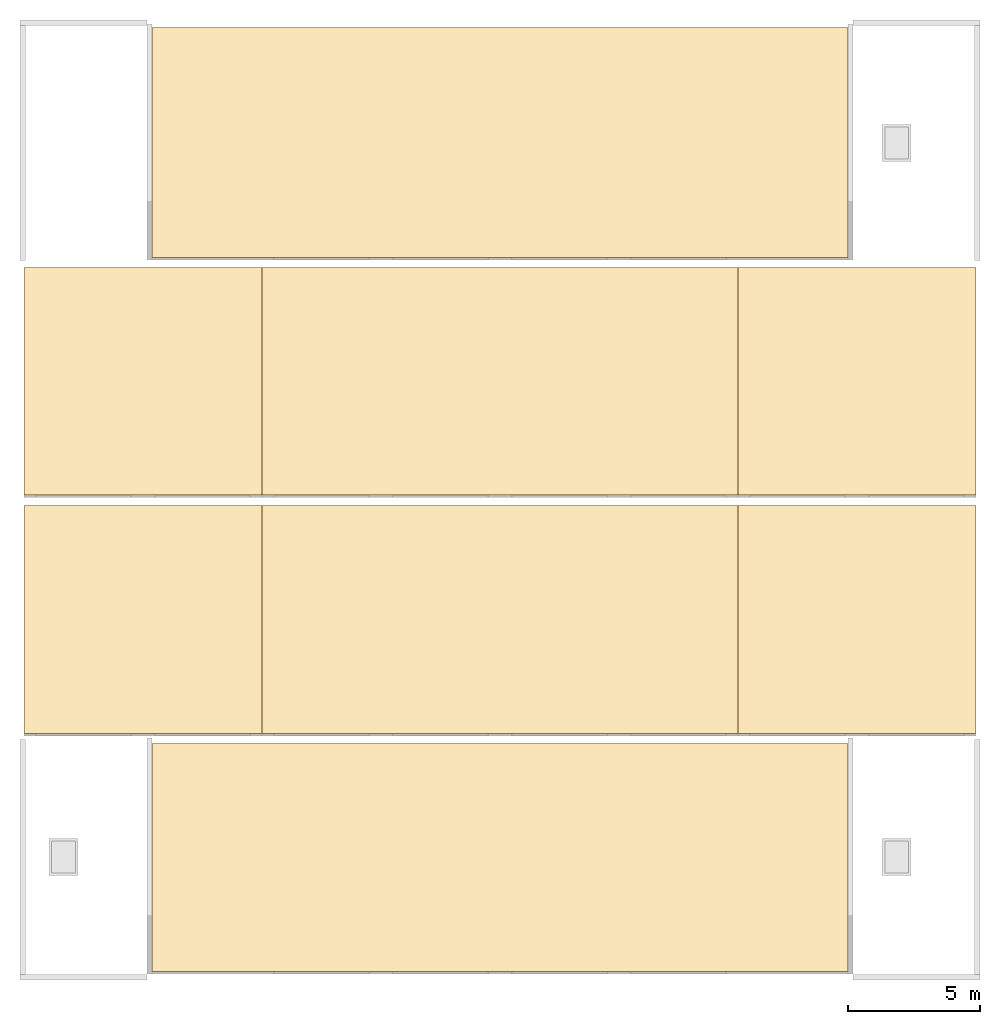
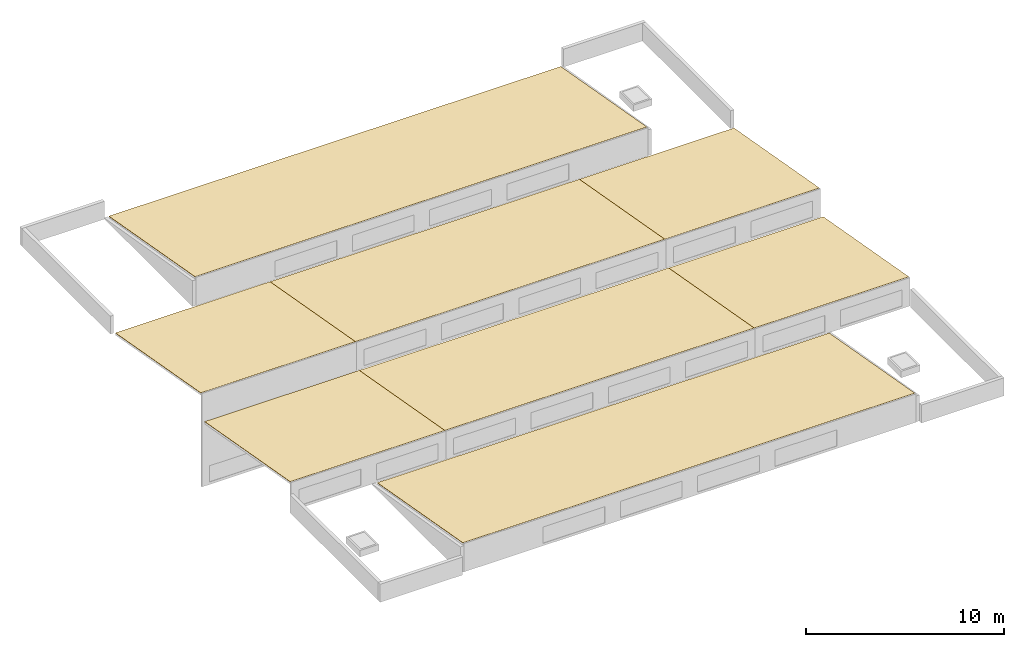
# One storey, part 3 of 3: 8 coverings.
"""IFC4 building model written with IfcOpenShell, lengths in metres."""

from ifc_helpers import new_model, si_unit, direction, frame, origin, place, context, subcontext, project, spatial, polyline, outline, extrude, material, layer, layer_set, type_object, element, save


model = new_model("IFC4")

# Units and contexts
model_context = context("Model", 3, precision=1e-05, world=origin(), true_north=direction((0.0, 1.0)))
body_context = subcontext(model_context, "Body", "Model", "MODEL_VIEW")
ifc_project = project(units=[si_unit("LENGTHUNIT", "METRE"), si_unit("AREAUNIT", "SQUARE_METRE"), si_unit("VOLUMEUNIT", "CUBIC_METRE"), si_unit("PLANEANGLEUNIT", "RADIAN"), si_unit("MASSUNIT", "GRAM", prefix="KILO")], contexts=[model_context])

# Site, building, storey
site_placement = place(None, origin())
site = spatial("IfcSite", under=ifc_project, at=site_placement, CompositionType="ELEMENT")
building_placement = place(site_placement, origin())
building = spatial("IfcBuilding", under=site, at=building_placement, Name="Halyard Row Museum", CompositionType="ELEMENT")
storey_placement = place(building_placement, frame((0.0, 0.0, 25.199951171875)))
storey = spatial("IfcBuildingStorey", under=building, at=storey_placement, Name="ROOF", CompositionType="ELEMENT", Elevation=25.199951171875)

# Coverings
ifc_material = material(Name="Single-ply roofing membrane on insulation", Category="general")
ifc_layer = layer(ifc_material, 0.02001953125)
ifc_layer_set = layer_set([ifc_layer], Name="Single-ply roofing membrane on insulation")
covering_type = type_object("IfcCoveringType", Name="Roofing membrane 20", PredefinedType="ROOFING", material=ifc_layer_set)
covering_1_placement = place(storey_placement, frame((76.85009765625, 0.174560546875, 1.589111328125), z_axis=(0.0, 0.175036336252, 0.984561974175), x_axis=(1.0, 0.0, 0.0)))
element("IfcCovering", 1, at=covering_1_placement, inside=storey, type_object=covering_type, Name="Roofing RC-V2-T1a", PredefinedType="ROOFING", context=body_context, shape_type="SweptSolid", body=[
    extrude(outline(polyline([(0.0, 0.0), (26.2998046875, 0.0), (26.2998046875, 8.760736761621928), (0.0, 8.760736761621928), (0.0, 0.0)])), origin(), (0.0, 0.0, -1.0), 0.02001953125),
])
covering_2_placement = place(storey_placement, frame((72.0, 9.174560546875, 1.589111328125), z_axis=(0.0, 0.175036336252, 0.984561974175), x_axis=(1.0, 0.0, 0.0)))
element("IfcCovering", 2, at=covering_2_placement, inside=storey, type_object=covering_type, Name="Roofing RC-V2-T2a", PredefinedType="ROOFING", context=body_context, shape_type="SweptSolid", body=[
    extrude(outline(polyline([(0.0, 0.0), (9.0, 0.0), (9.0, 8.760736761621928), (0.0, 8.760736761621928), (0.0, 0.0)])), origin(), (0.0, 0.0, -1.0), 0.02001953125),
])
covering_3_placement = place(storey_placement, frame((81.0, 9.174560546875, 1.589111328125), z_axis=(0.0, 0.175036336252, 0.984561974175), x_axis=(1.0, 0.0, 0.0)))
element("IfcCovering", 3, at=covering_3_placement, inside=storey, type_object=covering_type, Name="Roofing RC-V2-T2b", PredefinedType="ROOFING", context=body_context, shape_type="SweptSolid", body=[
    extrude(outline(polyline([(0.0, 0.0), (18.0, 0.0), (18.0, 8.760736761621928), (0.0, 8.760736761621928), (0.0, 0.0)])), origin(), (0.0, 0.0, -1.0), 0.02001953125),
])
covering_4_placement = place(storey_placement, frame((99.0, 9.174560546875, 1.589111328125), z_axis=(0.0, 0.175036336252, 0.984561974175), x_axis=(1.0, 0.0, 0.0)))
element("IfcCovering", 4, at=covering_4_placement, inside=storey, type_object=covering_type, Name="Roofing RC-V2-T2c", PredefinedType="ROOFING", context=body_context, shape_type="SweptSolid", body=[
    extrude(outline(polyline([(0.0, 0.0), (9.0, 0.0), (9.0, 8.760736761621928), (0.0, 8.760736761621928), (0.0, 0.0)])), origin(), (0.0, 0.0, -1.0), 0.02001953125),
])
covering_5_placement = place(storey_placement, frame((72.0, 18.18896484375, 1.58642578125), z_axis=(0.0, 0.175022511077, 0.984564431927), x_axis=(1.0, 0.0, 0.0)))
element("IfcCovering", 5, at=covering_5_placement, inside=storey, type_object=covering_type, Name="Roofing RC-V2-T3a", PredefinedType="ROOFING", context=body_context, shape_type="SweptSolid", body=[
    extrude(outline(polyline([(0.0, 0.0), (9.0, 0.0), (9.0, 8.7460847712305), (0.0, 8.7460847712305), (0.0, 0.0)])), origin(), (0.0, 0.0, -1.0), 0.02001953125),
])
covering_6_placement = place(storey_placement, frame((81.0, 18.18896484375, 1.58642578125), z_axis=(0.0, 0.175022511077, 0.984564431927), x_axis=(1.0, 0.0, 0.0)))
element("IfcCovering", 6, at=covering_6_placement, inside=storey, type_object=covering_type, Name="Roofing RC-V2-T3b", PredefinedType="ROOFING", context=body_context, shape_type="SweptSolid", body=[
    extrude(outline(polyline([(0.0, 0.0), (18.0, 0.0), (18.0, 8.7460847712305), (0.0, 8.7460847712305), (0.0, 0.0)])), origin(), (0.0, 0.0, -1.0), 0.02001953125),
])
covering_7_placement = place(storey_placement, frame((99.0, 18.18896484375, 1.58642578125), z_axis=(0.0, 0.175022511077, 0.984564431927), x_axis=(1.0, 0.0, 0.0)))
element("IfcCovering", 7, at=covering_7_placement, inside=storey, type_object=covering_type, Name="Roofing RC-V2-T3c", PredefinedType="ROOFING", context=body_context, shape_type="SweptSolid", body=[
    extrude(outline(polyline([(0.0, 0.0), (9.0, 0.0), (9.0, 8.7460847712305), (0.0, 8.7460847712305), (0.0, 0.0)])), origin(), (0.0, 0.0, -1.0), 0.02001953125),
])
covering_8_placement = place(storey_placement, frame((76.85009765625, 27.174560546875, 1.589111328125), z_axis=(0.0, 0.175043469349, 0.98456070602), x_axis=(1.0, 0.0, 0.0)))
element("IfcCovering", 8, at=covering_8_placement, inside=storey, type_object=covering_type, Name="Roofing RC-V2-T4a", PredefinedType="ROOFING", context=body_context, shape_type="SweptSolid", body=[
    extrude(outline(polyline([(0.0, 0.0), (26.2998046875, 0.0), (26.2998046875, 8.821748442625461), (0.0, 8.821748442625461), (0.0, 0.0)])), origin(), (0.0, 0.0, -1.0), 0.02001953125),
])

save(model, "model.ifc")
